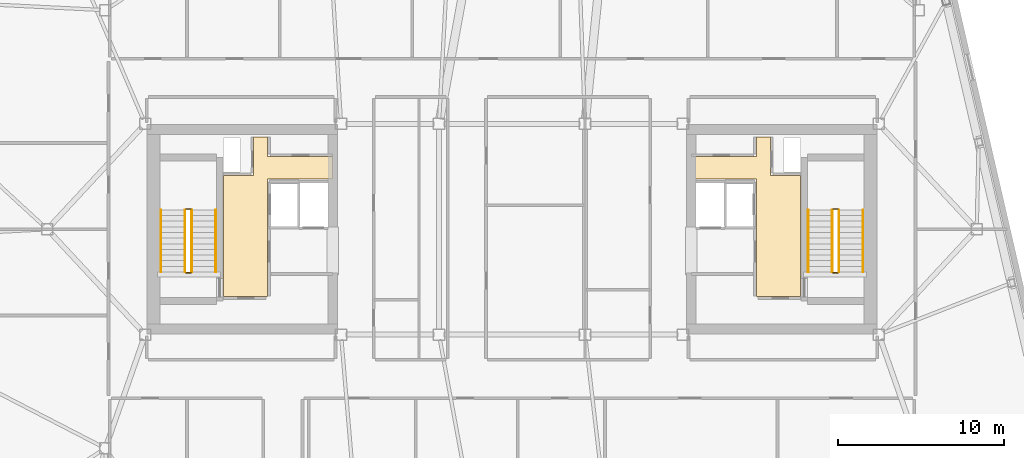
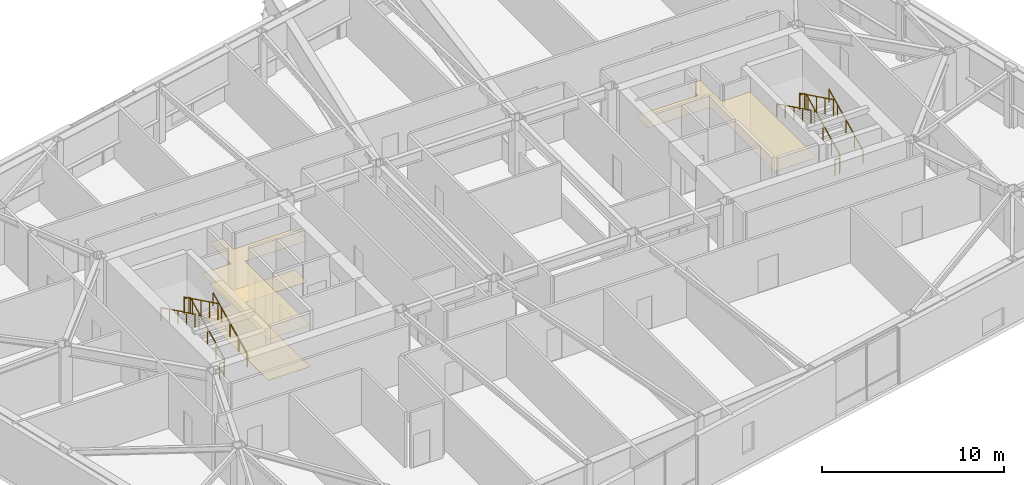
# One storey, part 23 of 23: 12 railings, 3 coverings.
"""IFC4 building model written with IfcOpenShell, lengths in metres."""

import ifcopenshell
import ifcopenshell.guid

model = None  # the IFC model being written
_history = None  # IfcOwnerHistory: only IFC2X3 demands one
_inside = {}  # id of a spatial element -> (the spatial element, [elements in it])
_under = {}  # id of a project, library or spatial element -> (it, [spatial elements below it])
_declared = {}  # id of a project -> (the project, [libraries it declares])
_typed = {}  # id of a type object -> (the type object, [elements of that type])
_made_of = {}  # id of a material, layer set ... -> (it, [elements and type objects made of it])


def new_model(schema):
    """Start an empty IFC model of exactly this schema.

    Asked for "IFC4X3", IfcOpenShell would pick the latest addendum, in which some entities
    have other attributes; the version numbers below select the first issue.
    IFC2X3 requires an IfcOwnerHistory on every rooted entity: one is made here for all.
    """
    global model, _history
    if schema == "IFC4X3":
        model = ifcopenshell.file(schema_version=(4, 3, 0, 0))
    else:
        model = ifcopenshell.file(schema=schema)
    _inside.clear()
    _under.clear()
    _declared.clear()
    _typed.clear()
    _made_of.clear()
    _history = None
    if model.schema == "IFC2X3":
        org = make("IfcOrganization", Name="unknown")
        user = make(
            "IfcPersonAndOrganization",
            ThePerson=make("IfcPerson", FamilyName="unknown"),
            TheOrganization=org,
        )
        app = make(
            "IfcApplication",
            ApplicationDeveloper=org,
            Version="unknown",
            ApplicationFullName="unknown",
            ApplicationIdentifier="unknown",
        )
        _history = make(
            "IfcOwnerHistory",
            OwningUser=user,
            OwningApplication=app,
            ChangeAction="ADDED",
            CreationDate=0,
        )
    return model


def make(cls, **values):
    """One entity of the class cls with the attributes given. An attribute that is None is left unset."""
    return model.create_entity(
        cls, **{name: value for name, value in values.items() if value is not None}
    )


def rooted(cls, **values):
    """An entity with a GlobalId (a new one), such as an element, a storey or a relation."""
    return make(cls, GlobalId=ifcopenshell.guid.new(), OwnerHistory=_history, **values)


def si_unit(unit_type, name, prefix=None):
    """IfcSIUnit, for example si_unit("LENGTHUNIT", "METRE", prefix="MILLI")."""
    return make("IfcSIUnit", UnitType=unit_type, Prefix=prefix, Name=name)


def assignment(units):
    """IfcUnitAssignment: the units of a project."""
    return None if units is None else make("IfcUnitAssignment", Units=units)


def point(xyz):
    """IfcCartesianPoint."""
    return None if xyz is None else make("IfcCartesianPoint", Coordinates=xyz)


def direction(xyz):
    """IfcDirection."""
    return None if xyz is None else make("IfcDirection", DirectionRatios=xyz)


def frame(location, z_axis=None, x_axis=None):
    """IfcAxis2Placement3D, a coordinate frame: its origin and axes. An axis left out is left unset."""
    return make(
        "IfcAxis2Placement3D",
        Location=point(location),
        Axis=direction(z_axis),
        RefDirection=direction(x_axis),
    )


def frame_2d(location, x_axis=None):
    """IfcAxis2Placement2D, a coordinate frame in the plane: its origin and x axis."""
    return make(
        "IfcAxis2Placement2D", Location=point(location), RefDirection=direction(x_axis)
    )


def origin():
    """The frame at (0, 0, 0) with its axes left unset."""
    return frame((0.0, 0.0, 0.0))


def origin_2d():
    """The frame at (0, 0) in the plane with its x axis left unset."""
    return frame_2d((0.0, 0.0))


def place(relative_to, where):
    """IfcLocalPlacement: puts the frame where relative to a parent placement (None: the world)."""
    return make(
        "IfcLocalPlacement", PlacementRelTo=relative_to, RelativePlacement=where
    )


def context(
    kind, dimensions, precision=None, world=None, true_north=None, identifier=None
):
    """IfcGeometricRepresentationContext, for example the 3D "Model" context."""
    return make(
        "IfcGeometricRepresentationContext",
        ContextIdentifier=identifier,
        ContextType=kind,
        CoordinateSpaceDimension=dimensions,
        Precision=precision,
        WorldCoordinateSystem=world,
        TrueNorth=true_north,
    )


def subcontext(parent, identifier, kind, view, scale=None):
    """IfcGeometricRepresentationSubContext, for example "Body" below "Model"."""
    return make(
        "IfcGeometricRepresentationSubContext",
        ContextIdentifier=identifier,
        ContextType=kind,
        ParentContext=parent,
        TargetScale=scale,
        TargetView=view,
    )


def project(units=None, contexts=None):
    """IfcProject with its units and contexts."""
    return rooted(
        "IfcProject",
        Name="project",
        RepresentationContexts=contexts,
        UnitsInContext=assignment(units),
    )


def spatial(cls, under=None, at=None, **own):
    """A site, building, storey or space (cls), placed at a placement, below another one or the project."""
    s = rooted(cls, ObjectPlacement=at, **own)
    if under is not None:
        _under.setdefault(under.id(), (under, []))[1].append(s)
    return s


def polyline(points):
    """IfcPolyline through the points."""
    return make("IfcPolyline", Points=[point(p) for p in points])


def profile(cls, at=None, kind="AREA", **sizes):
    """A parametric profile (cls). Its sizes go by their IFC names, for example OverallWidth=200.0."""
    return make(cls, ProfileType=kind, Position=at, **sizes)


def rectangle(**sizes):
    """IfcRectangleProfileDef."""
    return profile("IfcRectangleProfileDef", **sizes)


def outline(outer, holes=None, kind="AREA"):
    """IfcArbitraryClosedProfileDef: a profile drawn as a closed curve; with holes, ...WithVoids."""
    if holes is None:
        return make("IfcArbitraryClosedProfileDef", ProfileType=kind, OuterCurve=outer)
    return make(
        "IfcArbitraryProfileDefWithVoids",
        ProfileType=kind,
        OuterCurve=outer,
        InnerCurves=holes,
    )


def extrude(swept, where, along, depth):
    """IfcExtrudedAreaSolid: the profile swept, set in the frame where, extruded along a direction by depth."""
    return make(
        "IfcExtrudedAreaSolid",
        SweptArea=swept,
        Position=where,
        ExtrudedDirection=direction(along),
        Depth=depth,
    )


def shape(context_of_items, identifier, shape_type, items):
    """IfcShapeRepresentation: the items that make up one representation, for example the "Body"."""
    return make(
        "IfcShapeRepresentation",
        ContextOfItems=context_of_items,
        RepresentationIdentifier=identifier,
        RepresentationType=shape_type,
        Items=items,
    )


def material(Name=None, Category=None):
    """IfcMaterial."""
    return make("IfcMaterial", Name=Name, Category=Category)


def layer(
    of_material, thickness, ventilated=None, Name=None, Category=None, Priority=None
):
    """IfcMaterialLayer: one layer of a wall or slab, of a material (None: an air gap)."""
    return make(
        "IfcMaterialLayer",
        Material=of_material,
        LayerThickness=thickness,
        IsVentilated=ventilated,
        Name=Name,
        Category=Category,
        Priority=Priority,
    )


def layer_set(layers, Name=None):
    """IfcMaterialLayerSet."""
    return make("IfcMaterialLayerSet", MaterialLayers=layers, LayerSetName=Name)


def made_of(thing, what):
    """Note that an element or type object is made of a material, layer set ...; save() writes the relation."""
    if what is not None:
        _made_of.setdefault(what.id(), (what, []))[1].append(thing)
    return thing


def type_object(cls, material=None, **own):
    """A type object (cls), such as IfcWallType, which elements share."""
    return made_of(rooted(cls, **own), material)


def element(
    cls,
    number,
    at=None,
    inside=None,
    cuts=None,
    type_object=None,
    material=None,
    context=None,
    identifier="Body",
    shape_type=None,
    held_by="IfcProductDefinitionShape",
    body=None,
    shapes=None,
    **own,
):
    """One element of the class cls, such as IfcWall. Its Tag is "e" and its number.

    at: its placement. inside: the storey or other place that contains it. cuts: it is an
    opening in that element (IfcRelVoidsElement). A single representation is given by context,
    identifier, shape_type and body (its items); several are given by shapes. held_by: the class
    of the entity that holds the representations. save() writes the other relations.
    """
    e = rooted(cls, Tag="e%d" % number, ObjectPlacement=at, **own)
    if body is not None:
        shapes = [shape(context, identifier, shape_type, body)]
    if shapes is not None:
        e.Representation = make(held_by, Representations=shapes)
    if inside is not None:
        _inside.setdefault(inside.id(), (inside, []))[1].append(e)
    if cuts is not None:
        rooted(
            "IfcRelVoidsElement", RelatingBuildingElement=cuts, RelatedOpeningElement=e
        )
    if type_object is not None:
        _typed.setdefault(type_object.id(), (type_object, []))[1].append(e)
    return made_of(e, material)


def aggregate(whole, parts):
    """IfcRelAggregates: a whole, such as a stair, and the parts it consists of."""
    return rooted("IfcRelAggregates", RelatingObject=whole, RelatedObjects=parts)


def save(model, path):
    """Write the relations noted so far, then the file.

    IfcRelAggregates (storeys below a building ...), IfcRelContainedInSpatialStructure (elements
    in a storey), IfcRelDefinesByType, IfcRelAssociatesMaterial and IfcRelDeclares: one each for
    every whole, place, type object, material and project.
    """
    for whole, parts in _under.values():
        aggregate(whole, parts)
    for where, things in _inside.values():
        rooted(
            "IfcRelContainedInSpatialStructure",
            RelatedElements=things,
            RelatingStructure=where,
        )
    for kind, things in _typed.values():
        rooted("IfcRelDefinesByType", RelatedObjects=things, RelatingType=kind)
    for what, things in _made_of.values():
        rooted("IfcRelAssociatesMaterial", RelatedObjects=things, RelatingMaterial=what)
    for by, libraries in _declared.values():
        rooted("IfcRelDeclares", RelatingContext=by, RelatedDefinitions=libraries)
    model.write(path)


model = new_model("IFC4")

# Units and contexts
model_context = context("Model", 3, precision=1e-05, world=origin(), true_north=direction((0.0, 1.0)))
body_context = subcontext(model_context, "Body", "Model", "MODEL_VIEW")
ifc_project = project(units=[si_unit("LENGTHUNIT", "METRE"), si_unit("AREAUNIT", "SQUARE_METRE"), si_unit("VOLUMEUNIT", "CUBIC_METRE"), si_unit("PLANEANGLEUNIT", "RADIAN"), si_unit("MASSUNIT", "GRAM", prefix="KILO")], contexts=[model_context])

# Site, building, storey
site_placement = place(None, origin())
site = spatial("IfcSite", under=ifc_project, at=site_placement, CompositionType="ELEMENT")
building_placement = place(site_placement, origin())
building = spatial("IfcBuilding", under=site, at=building_placement, Name="Tavrogorsk Clinical Tower", CompositionType="ELEMENT")
storey_placement = place(building_placement, frame((0.0, 0.0, 305.0)))
storey = spatial("IfcBuildingStorey", under=building, at=storey_placement, Name="L71", CompositionType="ELEMENT", Elevation=305.0)

# Coverings
ifc_material_1 = material(Name="Antibacterial micro-perforated aluminium ceiling", Category="aluminium")
ifc_layer_1 = layer(ifc_material_1, 0.014892578125)
ifc_layer_set_1 = layer_set([ifc_layer_1], Name="Antibacterial micro-perforated aluminium ceiling")
covering_type_1 = type_object("IfcCoveringType", Name="ClinicalCeiling_15", PredefinedType="CEILING", material=ifc_layer_set_1)
covering_1_placement = place(storey_placement, frame((0.0, 0.0, 2.75)))
element("IfcCovering", 1, at=covering_1_placement, inside=storey, type_object=covering_type_1, Name="Core West Firefighting Lift Lobby Acoustic Ceiling", PredefinedType="CEILING", context=body_context, shape_type="SweptSolid", body=[
    extrude(outline(polyline([(-14.719970703125, 4.3798828125), (-10.800048828125, 4.3798828125), (-10.800048828125, 3.0400390625), (-14.719970703125, 3.0400390625), (-14.719970703125, -4.06005859375), (-17.3798828125, -4.06005859375), (-17.3798828125, 3.239990234375), (-15.56005859375, 3.239990234375), (-15.56005859375, 5.56005859375), (-14.719970703125, 5.56005859375), (-14.719970703125, 4.3798828125)])), origin(), (0.0, 0.0, 1.0), 0.014892578125),
])
covering_2_placement = place(storey_placement, frame((0.0, 0.0, 2.75)))
element("IfcCovering", 2, at=covering_2_placement, inside=storey, type_object=covering_type_1, Name="Core East Firefighting Lift Lobby Acoustic Ceiling", PredefinedType="CEILING", context=body_context, shape_type="SweptSolid", body=[
    extrude(outline(polyline([(14.719970703125, -4.06005859375), (14.719970703125, 3.0400390625), (10.800048828125, 3.0400390625), (10.800048828125, 4.3798828125), (14.719970703125, 4.3798828125), (14.719970703125, 5.56005859375), (15.56005859375, 5.56005859375), (15.56005859375, 3.239990234375), (17.3798828125, 3.239990234375), (17.3798828125, -4.06005859375), (14.719970703125, -4.06005859375)])), origin(), (0.0, 0.0, 1.0), 0.014892578125),
])
ifc_material_2 = material(Name="Homogeneous medical conductive PVC flooring")
ifc_layer_2 = layer(ifc_material_2, 0.008056640625)
ifc_layer_set_2 = layer_set([ifc_layer_2], Name="Homogeneous medical conductive PVC flooring")
covering_type_2 = type_object("IfcCoveringType", Name="ResilientVinylFloor_8", PredefinedType="FLOORING", material=ifc_layer_set_2)
covering_3_placement = place(storey_placement, origin())
element("IfcCovering", 3, at=covering_3_placement, inside=storey, type_object=covering_type_2, Name="Core West Firefighting Lift Lobby Conductive Vinyl Flooring", PredefinedType="FLOORING", context=body_context, shape_type="SweptSolid", body=[
    extrude(outline(polyline([(-14.719970703125, 4.3798828125), (-10.800048828125, 4.3798828125), (-10.800048828125, 3.0400390625), (-14.719970703125, 3.0400390625), (-14.719970703125, -4.06005859375), (-17.3798828125, -4.06005859375), (-17.3798828125, 3.239990234375), (-15.56005859375, 3.239990234375), (-15.56005859375, 5.56005859375), (-14.719970703125, 5.56005859375), (-14.719970703125, 4.3798828125)])), origin(), (0.0, 0.0, 1.0), 0.008056640625),
])

# Railings
ifc_material_3 = material(Name="Galvanised steel S355 safety stairwell guard", Category="steel")
ifc_layer_3 = layer(ifc_material_3, 0.06005859375)
ifc_layer_set_3 = layer_set([ifc_layer_3], Name="Galvanised steel S355 safety stairwell guard")
railing_type_1 = type_object("IfcRailingType", Name="StairGuard_1150", PredefinedType="GUARDRAIL", material=ifc_layer_set_3)
railing_1_placement = place(storey_placement, frame((-19.300048828125, -2.574951171875, 0.166748046875)))
element("IfcRailing", 4, at=railing_1_placement, inside=storey, type_object=railing_type_1, Name="L71 ST-W stair guard 1", PredefinedType="GUARDRAIL", context=body_context, shape_type="SweptSolid", body=[
    extrude(rectangle(XDim=0.048095703125, YDim=0.048095703125, at=origin_2d()), frame((0.0, 0.0, 1.076171875), z_axis=(0.0, 0.897927990467, 0.440142390523), x_axis=(-1.0, 0.0, 0.0)), (0.0, 0.0, 1.0), 4.1650390625),
    extrude(rectangle(XDim=0.0419921875, YDim=0.0419921875, at=origin_2d()), origin(), (0.0, 0.0, 1.0), 1.052001953125),
    extrude(rectangle(XDim=0.0419921875, YDim=0.0419921875, at=origin_2d()), frame((0.0, 0.93505859375, 0.458251953125)), (0.0, 0.0, 1.0), 1.052001953125),
    extrude(rectangle(XDim=0.0419921875, YDim=0.0419921875, at=origin_2d()), frame((0.0, 1.8701171875, 0.91650390625)), (0.0, 0.0, 1.0), 1.052001953125),
    extrude(rectangle(XDim=0.0419921875, YDim=0.0419921875, at=origin_2d()), frame((0.0, 2.804931640625, 1.375)), (0.0, 0.0, 1.0), 1.052001953125),
    extrude(rectangle(XDim=0.0419921875, YDim=0.0419921875, at=origin_2d()), frame((0.0, 3.739990234375, 1.833251953125)), (0.0, 0.0, 1.0), 1.052001953125),
])
railing_2_placement = place(storey_placement, frame((-19.35009765625, 1.215087890625, 2.0)))
element("IfcRailing", 5, at=railing_2_placement, inside=storey, type_object=railing_type_1, Name="L71 ST-W stair guard 2", PredefinedType="GUARDRAIL", context=body_context, shape_type="SweptSolid", body=[
    extrude(rectangle(XDim=0.048095703125, YDim=0.048095703125, at=origin_2d()), frame((0.0, 0.0, 1.076171875), z_axis=(-1.0, 0.0, 0.0), x_axis=(0.0, -1.0, 0.0)), (0.0, 0.0, 1.0), 0.2998046875),
    extrude(rectangle(XDim=0.0419921875, YDim=0.0419921875, at=origin_2d()), origin(), (0.0, 0.0, 1.0), 1.052001953125),
    extrude(rectangle(XDim=0.0419921875, YDim=0.0419921875, at=origin_2d()), frame((-0.2998046875, 0.0, 0.0)), (0.0, 0.0, 1.0), 1.052001953125),
])
railing_3_placement = place(storey_placement, frame((-19.699951171875, 1.1650390625, 2.166748046875)))
element("IfcRailing", 6, at=railing_3_placement, inside=storey, type_object=railing_type_1, Name="L71 ST-W stair guard 3", PredefinedType="GUARDRAIL", context=body_context, shape_type="SweptSolid", body=[
    extrude(rectangle(XDim=0.048095703125, YDim=0.048095703125, at=origin_2d()), frame((0.0, 0.0, 1.076171875), z_axis=(0.0, -0.897927990467, 0.440142390523), x_axis=(1.0, 0.0, 0.0)), (0.0, 0.0, 1.0), 4.1650390625),
    extrude(rectangle(XDim=0.0419921875, YDim=0.0419921875, at=origin_2d()), origin(), (0.0, 0.0, 1.0), 1.052001953125),
    extrude(rectangle(XDim=0.0419921875, YDim=0.0419921875, at=origin_2d()), frame((0.0, -0.93505859375, 0.458251953125)), (0.0, 0.0, 1.0), 1.052001953125),
    extrude(rectangle(XDim=0.0419921875, YDim=0.0419921875, at=origin_2d()), frame((0.0, -1.8701171875, 0.91650390625)), (0.0, 0.0, 1.0), 1.052001953125),
    extrude(rectangle(XDim=0.0419921875, YDim=0.0419921875, at=origin_2d()), frame((0.0, -2.804931640625, 1.375)), (0.0, 0.0, 1.0), 1.052001953125),
    extrude(rectangle(XDim=0.0419921875, YDim=0.0419921875, at=origin_2d()), frame((0.0, -3.739990234375, 1.833251953125)), (0.0, 0.0, 1.0), 1.052001953125),
])
railing_4_placement = place(storey_placement, frame((-19.35009765625, -2.625, 0.0)))
element("IfcRailing", 7, at=railing_4_placement, inside=storey, type_object=railing_type_1, Name="L71 ST-W stair guard 4", PredefinedType="GUARDRAIL", context=body_context, shape_type="SweptSolid", body=[
    extrude(rectangle(XDim=0.048095703125, YDim=0.048095703125, at=origin_2d()), frame((0.0, 0.0, 1.076171875), z_axis=(-1.0, 0.0, 0.0), x_axis=(0.0, -1.0, 0.0)), (0.0, 0.0, 1.0), 0.2998046875),
    extrude(rectangle(XDim=0.0419921875, YDim=0.0419921875, at=origin_2d()), origin(), (0.0, 0.0, 1.0), 1.052001953125),
    extrude(rectangle(XDim=0.0419921875, YDim=0.0419921875, at=origin_2d()), frame((-0.2998046875, 0.0, 0.0)), (0.0, 0.0, 1.0), 1.052001953125),
])
railing_5_placement = place(storey_placement, frame((19.699951171875, -2.574951171875, 0.166748046875)))
element("IfcRailing", 8, at=railing_5_placement, inside=storey, type_object=railing_type_1, Name="L71 ST-E stair guard 1", PredefinedType="GUARDRAIL", context=body_context, shape_type="SweptSolid", body=[
    extrude(rectangle(XDim=0.048095703125, YDim=0.048095703125, at=origin_2d()), frame((0.0, 0.0, 1.076171875), z_axis=(0.0, 0.897927990467, 0.440142390523), x_axis=(-1.0, 0.0, 0.0)), (0.0, 0.0, 1.0), 4.1650390625),
    extrude(rectangle(XDim=0.0419921875, YDim=0.0419921875, at=origin_2d()), origin(), (0.0, 0.0, 1.0), 1.052001953125),
    extrude(rectangle(XDim=0.0419921875, YDim=0.0419921875, at=origin_2d()), frame((0.0, 0.93505859375, 0.458251953125)), (0.0, 0.0, 1.0), 1.052001953125),
    extrude(rectangle(XDim=0.0419921875, YDim=0.0419921875, at=origin_2d()), frame((0.0, 1.8701171875, 0.91650390625)), (0.0, 0.0, 1.0), 1.052001953125),
    extrude(rectangle(XDim=0.0419921875, YDim=0.0419921875, at=origin_2d()), frame((0.0, 2.804931640625, 1.375)), (0.0, 0.0, 1.0), 1.052001953125),
    extrude(rectangle(XDim=0.0419921875, YDim=0.0419921875, at=origin_2d()), frame((0.0, 3.739990234375, 1.833251953125)), (0.0, 0.0, 1.0), 1.052001953125),
])
railing_6_placement = place(storey_placement, frame((19.64990234375, 1.215087890625, 2.0)))
element("IfcRailing", 9, at=railing_6_placement, inside=storey, type_object=railing_type_1, Name="L71 ST-E stair guard 2", PredefinedType="GUARDRAIL", context=body_context, shape_type="SweptSolid", body=[
    extrude(rectangle(XDim=0.048095703125, YDim=0.048095703125, at=origin_2d()), frame((0.0, 0.0, 1.076171875), z_axis=(-1.0, 0.0, 0.0), x_axis=(0.0, -1.0, 0.0)), (0.0, 0.0, 1.0), 0.2998046875),
    extrude(rectangle(XDim=0.0419921875, YDim=0.0419921875, at=origin_2d()), origin(), (0.0, 0.0, 1.0), 1.052001953125),
    extrude(rectangle(XDim=0.0419921875, YDim=0.0419921875, at=origin_2d()), frame((-0.2998046875, 0.0, 0.0)), (0.0, 0.0, 1.0), 1.052001953125),
])
railing_7_placement = place(storey_placement, frame((19.300048828125, 1.1650390625, 2.166748046875)))
element("IfcRailing", 10, at=railing_7_placement, inside=storey, type_object=railing_type_1, Name="L71 ST-E stair guard 3", PredefinedType="GUARDRAIL", context=body_context, shape_type="SweptSolid", body=[
    extrude(rectangle(XDim=0.048095703125, YDim=0.048095703125, at=origin_2d()), frame((0.0, 0.0, 1.076171875), z_axis=(0.0, -0.897927990467, 0.440142390523), x_axis=(1.0, 0.0, 0.0)), (0.0, 0.0, 1.0), 4.1650390625),
    extrude(rectangle(XDim=0.0419921875, YDim=0.0419921875, at=origin_2d()), origin(), (0.0, 0.0, 1.0), 1.052001953125),
    extrude(rectangle(XDim=0.0419921875, YDim=0.0419921875, at=origin_2d()), frame((0.0, -0.93505859375, 0.458251953125)), (0.0, 0.0, 1.0), 1.052001953125),
    extrude(rectangle(XDim=0.0419921875, YDim=0.0419921875, at=origin_2d()), frame((0.0, -1.8701171875, 0.91650390625)), (0.0, 0.0, 1.0), 1.052001953125),
    extrude(rectangle(XDim=0.0419921875, YDim=0.0419921875, at=origin_2d()), frame((0.0, -2.804931640625, 1.375)), (0.0, 0.0, 1.0), 1.052001953125),
    extrude(rectangle(XDim=0.0419921875, YDim=0.0419921875, at=origin_2d()), frame((0.0, -3.739990234375, 1.833251953125)), (0.0, 0.0, 1.0), 1.052001953125),
])
railing_8_placement = place(storey_placement, frame((19.64990234375, -2.625, 0.0)))
element("IfcRailing", 11, at=railing_8_placement, inside=storey, type_object=railing_type_1, Name="L71 ST-E stair guard 4", PredefinedType="GUARDRAIL", context=body_context, shape_type="SweptSolid", body=[
    extrude(rectangle(XDim=0.048095703125, YDim=0.048095703125, at=origin_2d()), frame((0.0, 0.0, 1.076171875), z_axis=(-1.0, 0.0, 0.0), x_axis=(0.0, -1.0, 0.0)), (0.0, 0.0, 1.0), 0.2998046875),
    extrude(rectangle(XDim=0.0419921875, YDim=0.0419921875, at=origin_2d()), origin(), (0.0, 0.0, 1.0), 1.052001953125),
    extrude(rectangle(XDim=0.0419921875, YDim=0.0419921875, at=origin_2d()), frame((-0.2998046875, 0.0, 0.0)), (0.0, 0.0, 1.0), 1.052001953125),
])
ifc_material_4 = material(Name="Stainless steel AISI 304 tubular handrail", Category="steel")
ifc_layer_4 = layer(ifc_material_4, 0.050048828125)
ifc_layer_set_4 = layer_set([ifc_layer_4], Name="Stainless steel AISI 304 tubular handrail")
railing_type_2 = type_object("IfcRailingType", Name="StairHandrail_920", PredefinedType="HANDRAIL", material=ifc_layer_set_4)
railing_9_placement = place(storey_placement, frame((-17.85009765625, -2.574951171875, 0.166748046875)))
element("IfcRailing", 12, at=railing_9_placement, inside=storey, type_object=railing_type_2, Name="L71 ST-W stair handrail 1", PredefinedType="HANDRAIL", context=body_context, shape_type="SweptSolid", body=[
    extrude(rectangle(XDim=0.048095703125, YDim=0.048095703125, at=origin_2d()), frame((0.0, 0.0, 0.8759765625), z_axis=(0.0, 0.897927990467, 0.440142390523), x_axis=(-1.0, 0.0, 0.0)), (0.0, 0.0, 1.0), 4.1650390625),
    extrude(rectangle(XDim=0.0419921875, YDim=0.0419921875, at=origin_2d()), origin(), (0.0, 0.0, 1.0), 0.851806640625),
    extrude(rectangle(XDim=0.0419921875, YDim=0.0419921875, at=origin_2d()), frame((0.0, 0.93505859375, 0.458251953125)), (0.0, 0.0, 1.0), 0.851806640625),
    extrude(rectangle(XDim=0.0419921875, YDim=0.0419921875, at=origin_2d()), frame((0.0, 1.8701171875, 0.91650390625)), (0.0, 0.0, 1.0), 0.851806640625),
    extrude(rectangle(XDim=0.0419921875, YDim=0.0419921875, at=origin_2d()), frame((0.0, 2.804931640625, 1.375)), (0.0, 0.0, 1.0), 0.851806640625),
    extrude(rectangle(XDim=0.0419921875, YDim=0.0419921875, at=origin_2d()), frame((0.0, 3.739990234375, 1.833251953125)), (0.0, 0.0, 1.0), 0.851806640625),
])
railing_10_placement = place(storey_placement, frame((-21.14990234375, 1.1650390625, 2.166748046875)))
element("IfcRailing", 13, at=railing_10_placement, inside=storey, type_object=railing_type_2, Name="L71 ST-W stair handrail 2", PredefinedType="HANDRAIL", context=body_context, shape_type="SweptSolid", body=[
    extrude(rectangle(XDim=0.048095703125, YDim=0.048095703125, at=origin_2d()), frame((0.0, 0.0, 0.8759765625), z_axis=(0.0, -0.897927990467, 0.440142390523), x_axis=(1.0, 0.0, 0.0)), (0.0, 0.0, 1.0), 4.1650390625),
    extrude(rectangle(XDim=0.0419921875, YDim=0.0419921875, at=origin_2d()), origin(), (0.0, 0.0, 1.0), 0.851806640625),
    extrude(rectangle(XDim=0.0419921875, YDim=0.0419921875, at=origin_2d()), frame((0.0, -0.93505859375, 0.458251953125)), (0.0, 0.0, 1.0), 0.851806640625),
    extrude(rectangle(XDim=0.0419921875, YDim=0.0419921875, at=origin_2d()), frame((0.0, -1.8701171875, 0.91650390625)), (0.0, 0.0, 1.0), 0.851806640625),
    extrude(rectangle(XDim=0.0419921875, YDim=0.0419921875, at=origin_2d()), frame((0.0, -2.804931640625, 1.375)), (0.0, 0.0, 1.0), 0.851806640625),
    extrude(rectangle(XDim=0.0419921875, YDim=0.0419921875, at=origin_2d()), frame((0.0, -3.739990234375, 1.833251953125)), (0.0, 0.0, 1.0), 0.851806640625),
])
railing_11_placement = place(storey_placement, frame((21.14990234375, -2.574951171875, 0.166748046875)))
element("IfcRailing", 14, at=railing_11_placement, inside=storey, type_object=railing_type_2, Name="L71 ST-E stair handrail 1", PredefinedType="HANDRAIL", context=body_context, shape_type="SweptSolid", body=[
    extrude(rectangle(XDim=0.048095703125, YDim=0.048095703125, at=origin_2d()), frame((0.0, 0.0, 0.8759765625), z_axis=(0.0, 0.897927990467, 0.440142390523), x_axis=(-1.0, 0.0, 0.0)), (0.0, 0.0, 1.0), 4.1650390625),
    extrude(rectangle(XDim=0.0419921875, YDim=0.0419921875, at=origin_2d()), origin(), (0.0, 0.0, 1.0), 0.851806640625),
    extrude(rectangle(XDim=0.0419921875, YDim=0.0419921875, at=origin_2d()), frame((0.0, 0.93505859375, 0.458251953125)), (0.0, 0.0, 1.0), 0.851806640625),
    extrude(rectangle(XDim=0.0419921875, YDim=0.0419921875, at=origin_2d()), frame((0.0, 1.8701171875, 0.91650390625)), (0.0, 0.0, 1.0), 0.851806640625),
    extrude(rectangle(XDim=0.0419921875, YDim=0.0419921875, at=origin_2d()), frame((0.0, 2.804931640625, 1.375)), (0.0, 0.0, 1.0), 0.851806640625),
    extrude(rectangle(XDim=0.0419921875, YDim=0.0419921875, at=origin_2d()), frame((0.0, 3.739990234375, 1.833251953125)), (0.0, 0.0, 1.0), 0.851806640625),
])
railing_12_placement = place(storey_placement, frame((17.85009765625, 1.1650390625, 2.166748046875)))
element("IfcRailing", 15, at=railing_12_placement, inside=storey, type_object=railing_type_2, Name="L71 ST-E stair handrail 2", PredefinedType="HANDRAIL", context=body_context, shape_type="SweptSolid", body=[
    extrude(rectangle(XDim=0.048095703125, YDim=0.048095703125, at=origin_2d()), frame((0.0, 0.0, 0.8759765625), z_axis=(0.0, -0.897927990467, 0.440142390523), x_axis=(1.0, 0.0, 0.0)), (0.0, 0.0, 1.0), 4.1650390625),
    extrude(rectangle(XDim=0.0419921875, YDim=0.0419921875, at=origin_2d()), origin(), (0.0, 0.0, 1.0), 0.851806640625),
    extrude(rectangle(XDim=0.0419921875, YDim=0.0419921875, at=origin_2d()), frame((0.0, -0.93505859375, 0.458251953125)), (0.0, 0.0, 1.0), 0.851806640625),
    extrude(rectangle(XDim=0.0419921875, YDim=0.0419921875, at=origin_2d()), frame((0.0, -1.8701171875, 0.91650390625)), (0.0, 0.0, 1.0), 0.851806640625),
    extrude(rectangle(XDim=0.0419921875, YDim=0.0419921875, at=origin_2d()), frame((0.0, -2.804931640625, 1.375)), (0.0, 0.0, 1.0), 0.851806640625),
    extrude(rectangle(XDim=0.0419921875, YDim=0.0419921875, at=origin_2d()), frame((0.0, -3.739990234375, 1.833251953125)), (0.0, 0.0, 1.0), 0.851806640625),
])

save(model, "model.ifc")
